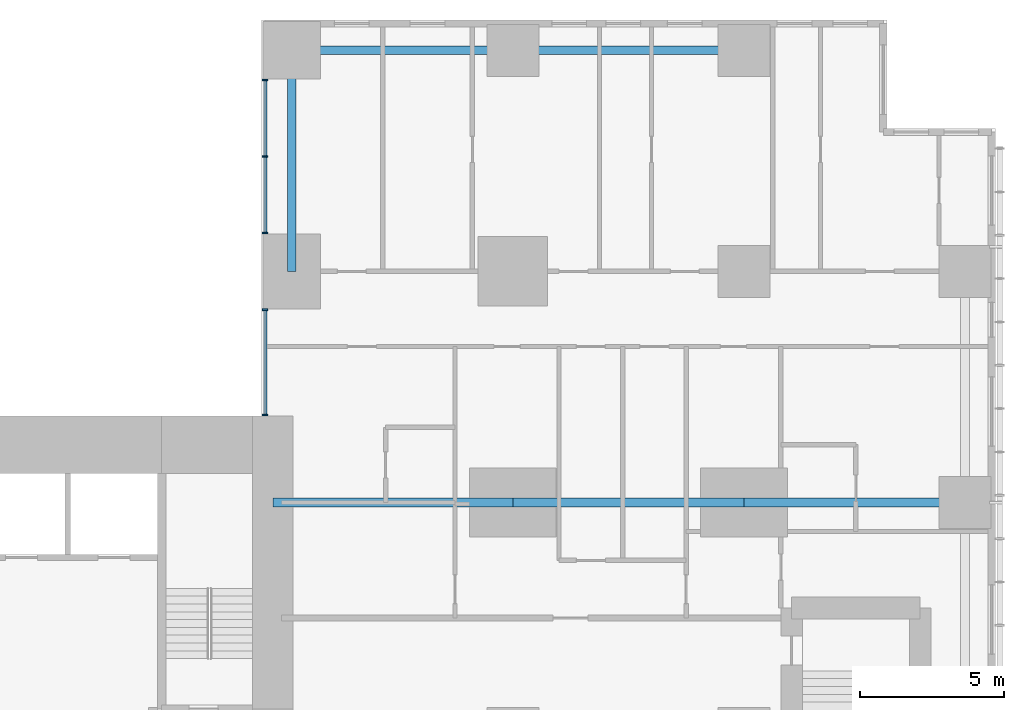
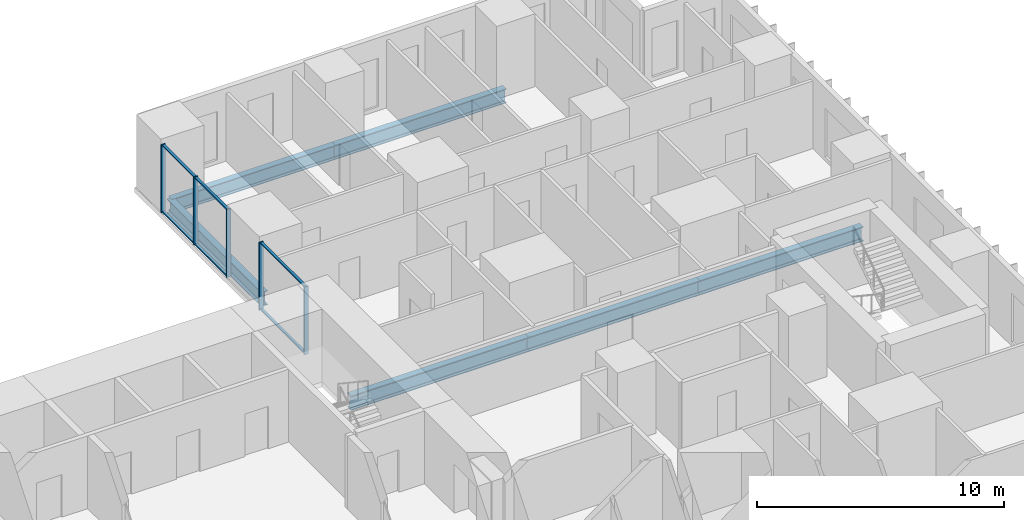
# One storey, part 5 of 20: 11 members, 6 beams, 2 elements without a shape of their own.
"""IFC4 building model written with IfcOpenShell, lengths in metres."""

from ifc_helpers import new_model, si_unit, direction, frame, origin, origin_2d, place, context, subcontext, project, spatial, rectangle, i_section, extrude, material, layer, layer_set, material_profile, profile_set, type_object, element, aggregate, save


model = new_model("IFC4")

# Units and contexts
model_context = context("Model", 3, precision=1e-05, world=origin(), true_north=direction((0.0, 1.0)))
body_context = subcontext(model_context, "Body", "Model", "MODEL_VIEW")
ifc_project = project(units=[si_unit("LENGTHUNIT", "METRE"), si_unit("AREAUNIT", "SQUARE_METRE"), si_unit("VOLUMEUNIT", "CUBIC_METRE"), si_unit("PLANEANGLEUNIT", "RADIAN"), si_unit("MASSUNIT", "GRAM", prefix="KILO")], contexts=[model_context])

# Site, building, storey
site_placement = place(None, origin())
site = spatial("IfcSite", under=ifc_project, at=site_placement, CompositionType="ELEMENT")
building_placement = place(site_placement, origin())
building = spatial("IfcBuilding", under=site, at=building_placement, Name="Cleftline Residences", CompositionType="ELEMENT")
storey_placement = place(building_placement, frame((0.0, 0.0, 211.0)))
storey = spatial("IfcBuildingStorey", under=building, at=storey_placement, Name="L55", CompositionType="ELEMENT", Elevation=211.0)

# Beams
ifc_material_1 = material(Name="Steel S355", Category="steel")
ifc_material_profile_1 = material_profile(ifc_material_1, i_section(OverallWidth=0.300048828125, OverallDepth=0.699951171875, WebThickness=0.01708984375, FlangeThickness=0.031982421875, FilletRadius=0.027099609375, at=origin_2d()))
ifc_profile_set_1 = profile_set([ifc_material_profile_1], Name="Steel S355")
beam_type_1 = type_object("IfcBeamType", Name="BEAM HEB 700", PredefinedType="BEAM", material=ifc_profile_set_1)
beam_1_placement = place(storey_placement, frame((58.0, 47.64990234375, -0.60009765625), z_axis=(-1.0, 0.0, 0.0), x_axis=(0.0, -1.0, 0.0)))
element("IfcBeam", 1, at=beam_1_placement, inside=storey, type_object=beam_type_1, Name="Edge beam", PredefinedType="BEAM", context=body_context, shape_type="SweptSolid", body=[
    extrude(i_section(OverallWidth=0.300048828125, OverallDepth=0.699951171875, WebThickness=0.01708984375, FlangeThickness=0.031982421875, FilletRadius=0.027099609375, at=origin_2d()), origin(), (0.0, 0.0, 1.0), 8.0),
])
for number, where, z_axis, x_axis, name in (
    (2, (50.0, 47.64990234375, -0.60009765625), (-1.0, 0.0, 0.0), (0.0, -1.0, 0.0), "Edge beam"),
    (3, (42.35009765625, 47.64990234375, -0.60009765625), (0.0, -1.0, 0.0), (1.0, 0.0, 0.0), "Edge beam"),
):
    element("IfcBeam", number, at=place(storey_placement, frame(where, z_axis=z_axis, x_axis=x_axis)), inside=storey, type_object=beam_type_1, Name=name, PredefinedType="BEAM", context=body_context, shape_type="SweptSolid", body=[
        extrude(i_section(OverallWidth=0.300048828125, OverallDepth=0.699951171875, WebThickness=0.01708984375, FlangeThickness=0.031982421875, FilletRadius=0.027099609375, at=origin_2d()), origin(), (0.0, 0.0, 1.0), 7.64990234375),
    ])
ifc_material_2 = material(Name="Steel S355", Category="steel")
ifc_material_profile_2 = material_profile(ifc_material_2, i_section(OverallWidth=0.303955078125, OverallDepth=0.716064453125, WebThickness=0.02099609375, FlangeThickness=0.0400390625, FilletRadius=0.027099609375, at=origin_2d()))
ifc_profile_set_2 = profile_set([ifc_material_profile_2], Name="Steel S355")
beam_type_2 = type_object("IfcBeamType", Name="BEAM HEM 700", PredefinedType="BEAM", material=ifc_profile_set_2)
beam_2_placement = place(storey_placement, frame((65.64990234375, 32.0, -0.60791015625), z_axis=(-1.0, 0.0, 0.0), x_axis=(0.0, -1.0, 0.0)))
element("IfcBeam", 4, at=beam_2_placement, inside=storey, type_object=beam_type_2, Name="Band beam", PredefinedType="BEAM", context=body_context, shape_type="SweptSolid", body=[
    extrude(i_section(OverallWidth=0.303955078125, OverallDepth=0.716064453125, WebThickness=0.02099609375, FlangeThickness=0.0400390625, FilletRadius=0.027099609375, at=origin_2d()), origin(), (0.0, 0.0, 1.0), 7.64990234375),
])
beam_3_placement = place(storey_placement, frame((58.0, 32.0, -0.60791015625), z_axis=(-1.0, 0.0, 0.0), x_axis=(0.0, -1.0, 0.0)))
element("IfcBeam", 5, at=beam_3_placement, inside=storey, type_object=beam_type_2, Name="Band beam", PredefinedType="BEAM", context=body_context, shape_type="SweptSolid", body=[
    extrude(i_section(OverallWidth=0.303955078125, OverallDepth=0.716064453125, WebThickness=0.02099609375, FlangeThickness=0.0400390625, FilletRadius=0.027099609375, at=origin_2d()), origin(), (0.0, 0.0, 1.0), 8.0),
])
beam_4_placement = place(storey_placement, frame((50.0, 32.0, -0.60791015625), z_axis=(-1.0, 0.0, 0.0), x_axis=(0.0, -1.0, 0.0)))
element("IfcBeam", 6, at=beam_4_placement, inside=storey, type_object=beam_type_2, Name="Band beam", PredefinedType="BEAM", context=body_context, shape_type="SweptSolid", body=[
    extrude(i_section(OverallWidth=0.303955078125, OverallDepth=0.716064453125, WebThickness=0.02099609375, FlangeThickness=0.0400390625, FilletRadius=0.027099609375, at=origin_2d()), origin(), (0.0, 0.0, 1.0), 8.300048828125),
])

# Curtain wall, members
ifc_material_3 = material(Name="Aluminium framed curtain wall", Category="aluminium")
ifc_layer = layer(ifc_material_3, 0.199951171875)
ifc_layer_set = layer_set([ifc_layer], Name="CW1 CLEFT GLAZING")
curtain_wall_type = type_object("IfcCurtainWallType", Name="CW1 CLEFT GLAZING", PredefinedType="NOTDEFINED", material=ifc_layer_set)
curtain_wall_1_placement = place(storey_placement, origin())
curtain_wall_1 = element("IfcCurtainWall", 7, at=curtain_wall_1_placement, inside=storey, type_object=curtain_wall_type, Name="Curtain wall CW1", PredefinedType="NOTDEFINED")
ifc_material_4 = material(Name="Aluminium mullion", Category="aluminium")
ifc_material_profile_3 = material_profile(ifc_material_4, rectangle(XDim=0.199951171875, YDim=0.06005859375, at=origin_2d()))
ifc_profile_set_3 = profile_set([ifc_material_profile_3], Name="Aluminium mullion")
member_type_1 = type_object("IfcMemberType", Name="CW1 MULLION", PredefinedType="MULLION", material=ifc_profile_set_3)
member_1_placement = place(storey_placement, frame((41.425048828125, 46.6201171875, 0.0), z_axis=(0.0, 0.0, 1.0), x_axis=(1.0, 0.0, 0.0)))
member_1 = element("IfcMember", 8, at=member_1_placement, type_object=member_type_1, Name="CW1 mullion 1", PredefinedType="MULLION", context=body_context, shape_type="SweptSolid", body=[
    extrude(rectangle(XDim=0.199951171875, YDim=0.06005859375, at=origin_2d()), origin(), (0.0, 0.0, 1.0), 3.35009765625),
])
member_2_placement = place(storey_placement, frame((41.425048828125, 43.97509765625, 0.0), z_axis=(0.0, 0.0, 1.0), x_axis=(1.0, 0.0, 0.0)))
member_2 = element("IfcMember", 9, at=member_2_placement, type_object=member_type_1, Name="CW1 mullion 2", PredefinedType="MULLION", context=body_context, shape_type="SweptSolid", body=[
    extrude(rectangle(XDim=0.199951171875, YDim=0.06005859375, at=origin_2d()), origin(), (0.0, 0.0, 1.0), 3.35009765625),
])
member_3_placement = place(storey_placement, frame((41.425048828125, 41.330078125, 0.0), z_axis=(0.0, 0.0, 1.0), x_axis=(1.0, 0.0, 0.0)))
member_3 = element("IfcMember", 10, at=member_3_placement, type_object=member_type_1, Name="CW1 mullion 3", PredefinedType="MULLION", context=body_context, shape_type="SweptSolid", body=[
    extrude(rectangle(XDim=0.199951171875, YDim=0.06005859375, at=origin_2d()), origin(), (0.0, 0.0, 1.0), 3.35009765625),
])

curtain_wall_2_placement = place(storey_placement, origin())
curtain_wall_2 = element("IfcCurtainWall", 11, at=curtain_wall_2_placement, inside=storey, type_object=curtain_wall_type, Name="Curtain wall CW1", PredefinedType="NOTDEFINED")
member_4_placement = place(storey_placement, frame((41.425048828125, 38.669921875, 0.0), z_axis=(0.0, 0.0, 1.0), x_axis=(1.0, 0.0, 0.0)))
member_4 = element("IfcMember", 12, at=member_4_placement, type_object=member_type_1, Name="CW1 mullion 1", PredefinedType="MULLION", context=body_context, shape_type="SweptSolid", body=[
    extrude(rectangle(XDim=0.199951171875, YDim=0.06005859375, at=origin_2d()), origin(), (0.0, 0.0, 1.0), 3.35009765625),
])
member_5_placement = place(storey_placement, frame((41.425048828125, 35.030029296875, 0.0), z_axis=(0.0, 0.0, 1.0), x_axis=(1.0, 0.0, 0.0)))
member_5 = element("IfcMember", 13, at=member_5_placement, type_object=member_type_1, Name="CW1 mullion 2", PredefinedType="MULLION", context=body_context, shape_type="SweptSolid", body=[
    extrude(rectangle(XDim=0.199951171875, YDim=0.06005859375, at=origin_2d()), origin(), (0.0, 0.0, 1.0), 3.35009765625),
])

# Member
ifc_material_5 = material(Name="Aluminium transom", Category="aluminium")
ifc_material_profile_4 = material_profile(ifc_material_5, rectangle(XDim=0.1201171875, YDim=0.06005859375, at=origin_2d()))
ifc_profile_set_4 = profile_set([ifc_material_profile_4], Name="Aluminium transom")
member_type_2 = type_object("IfcMemberType", Name="CW1 TRANSOM", PredefinedType="USERDEFINED", material=ifc_profile_set_4)
member_6_placement = place(storey_placement, frame((41.425048828125, 46.590087890625, 0.030029296875), z_axis=(0.0, -1.0, 0.0), x_axis=(1.0, 0.0, 0.0)))
member_6 = element("IfcMember", 14, at=member_6_placement, type_object=member_type_2, Name="CW1 transom 1.1", ObjectType="TRANSOM", PredefinedType="USERDEFINED", context=body_context, shape_type="SweptSolid", body=[
    extrude(rectangle(XDim=0.1201171875, YDim=0.06005859375, at=origin_2d()), origin(), (0.0, 0.0, 1.0), 2.585205078125),
])

member_7_placement = place(storey_placement, frame((41.425048828125, 46.590087890625, 3.320068359375), z_axis=(0.0, -1.0, 0.0), x_axis=(1.0, 0.0, 0.0)))
member_7 = element("IfcMember", 15, at=member_7_placement, type_object=member_type_2, Name="CW1 transom 1.2", ObjectType="TRANSOM", PredefinedType="USERDEFINED", context=body_context, shape_type="SweptSolid", body=[
    extrude(rectangle(XDim=0.1201171875, YDim=0.06005859375, at=origin_2d()), origin(), (0.0, 0.0, 1.0), 2.585205078125),
])

member_8_placement = place(storey_placement, frame((41.425048828125, 43.945068359375, 0.030029296875), z_axis=(0.0, -1.0, 0.0), x_axis=(1.0, 0.0, 0.0)))
member_8 = element("IfcMember", 16, at=member_8_placement, type_object=member_type_2, Name="CW1 transom 2.1", ObjectType="TRANSOM", PredefinedType="USERDEFINED", context=body_context, shape_type="SweptSolid", body=[
    extrude(rectangle(XDim=0.1201171875, YDim=0.06005859375, at=origin_2d()), origin(), (0.0, 0.0, 1.0), 2.5849609375),
])

member_9_placement = place(storey_placement, frame((41.425048828125, 43.945068359375, 3.320068359375), z_axis=(0.0, -1.0, 0.0), x_axis=(1.0, 0.0, 0.0)))
member_9 = element("IfcMember", 17, at=member_9_placement, type_object=member_type_2, Name="CW1 transom 2.2", ObjectType="TRANSOM", PredefinedType="USERDEFINED", context=body_context, shape_type="SweptSolid", body=[
    extrude(rectangle(XDim=0.1201171875, YDim=0.06005859375, at=origin_2d()), origin(), (0.0, 0.0, 1.0), 2.5849609375),
])

aggregate(curtain_wall_1, [member_1, member_2, member_3, member_6, member_7, member_8, member_9])

member_10_placement = place(storey_placement, frame((41.425048828125, 38.639892578125, 0.030029296875), z_axis=(0.0, -1.0, 0.0), x_axis=(1.0, 0.0, 0.0)))
member_10 = element("IfcMember", 18, at=member_10_placement, type_object=member_type_2, Name="CW1 transom 1.1", ObjectType="TRANSOM", PredefinedType="USERDEFINED", context=body_context, shape_type="SweptSolid", body=[
    extrude(rectangle(XDim=0.1201171875, YDim=0.06005859375, at=origin_2d()), origin(), (0.0, 0.0, 1.0), 3.579833984375),
])

member_11_placement = place(storey_placement, frame((41.425048828125, 38.639892578125, 3.320068359375), z_axis=(0.0, -1.0, 0.0), x_axis=(1.0, 0.0, 0.0)))
member_11 = element("IfcMember", 19, at=member_11_placement, type_object=member_type_2, Name="CW1 transom 1.2", ObjectType="TRANSOM", PredefinedType="USERDEFINED", context=body_context, shape_type="SweptSolid", body=[
    extrude(rectangle(XDim=0.1201171875, YDim=0.06005859375, at=origin_2d()), origin(), (0.0, 0.0, 1.0), 3.579833984375),
])

aggregate(curtain_wall_2, [member_4, member_5, member_10, member_11])

save(model, "model.ifc")
